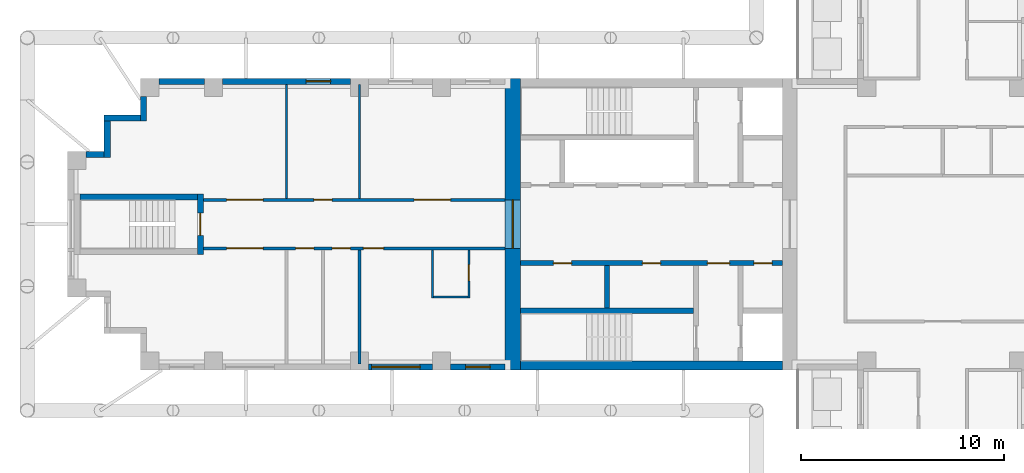
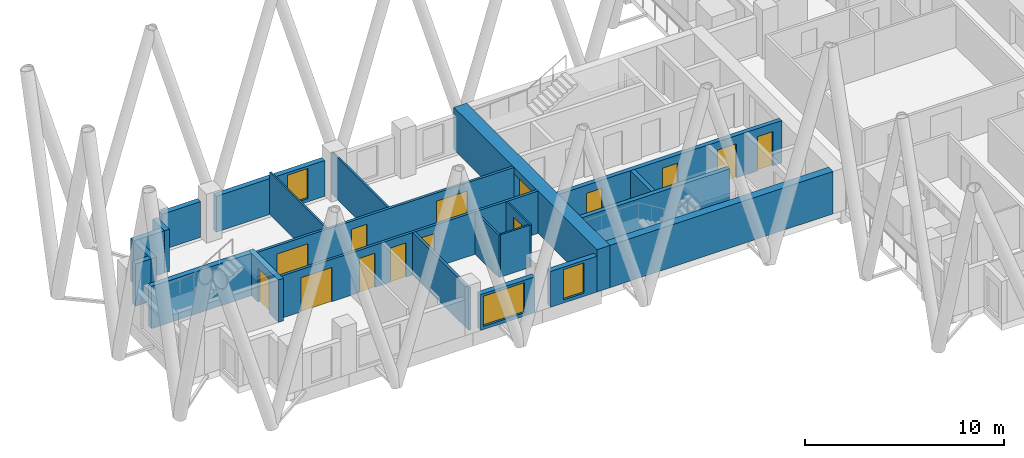
# One storey, part 3 of 12: 23 walls, 14 doors, 3 windows, 17 openings.
"""IFC4 building model written with IfcOpenShell, lengths in metres."""

from ifc_helpers import new_model, si_unit, direction, frame, frame_2d, origin, place, context, subcontext, project, spatial, rectangle, extrude, material, layer, layer_set, type_object, element, fill, save


model = new_model("IFC4")

# Units and contexts
model_context = context("Model", 3, precision=1e-05, world=origin(), true_north=direction((0.0, 1.0)))
body_context = subcontext(model_context, "Body", "Model", "MODEL_VIEW")
ifc_project = project(units=[si_unit("LENGTHUNIT", "METRE"), si_unit("AREAUNIT", "SQUARE_METRE"), si_unit("VOLUMEUNIT", "CUBIC_METRE"), si_unit("PLANEANGLEUNIT", "RADIAN"), si_unit("MASSUNIT", "GRAM", prefix="KILO")], contexts=[model_context])

# Site, building, storey
site_placement = place(None, origin())
site = spatial("IfcSite", under=ifc_project, at=site_placement, CompositionType="ELEMENT")
building_placement = place(site_placement, origin())
building = spatial("IfcBuilding", under=site, at=building_placement, Name="Fustian Cross Tower", CompositionType="ELEMENT")
storey_placement = place(building_placement, frame((0.0, 0.0, 141.300048828125)))
storey = spatial("IfcBuildingStorey", under=building, at=storey_placement, Name="L44", CompositionType="ELEMENT", Elevation=141.300048828125)

# Wall, openings, doors
ifc_material_1 = material(Name="Plasterboard on steel stud", Category="steel")
ifc_layer_1 = layer(ifc_material_1, 0.14990234375)
ifc_layer_set_1 = layer_set([ifc_layer_1], Name="Plasterboard on steel stud")
wall_type_1 = type_object("IfcWallType", Name="COMPARTMENT WALL 150 EI 60", PredefinedType="PARTITIONING", material=ifc_layer_set_1)
wall_1_placement = place(storey_placement, frame((-36.5, -1.199951171875, 0.0), z_axis=(0.0, 0.0, 1.0), x_axis=(1.0, 0.0, 0.0)))
wall_1 = element("IfcWall", 1, at=wall_1_placement, inside=storey, type_object=wall_type_1, Name="Partition 1", PredefinedType="PARTITIONING", context=body_context, shape_type="SweptSolid", body=[
    extrude(rectangle(XDim=14.89990234375, YDim=0.14990234375, at=frame_2d((7.449951171875, 0.0))), origin(), (0.0, 0.0, 1.0), 2.599853515625),
])
opening_1_placement = place(wall_1_placement, frame((7.89990234375, 0.0, 0.0)))
opening_1 = element("IfcOpeningElement", 2, at=opening_1_placement, cuts=wall_1, Name="Opening D20021", PredefinedType="OPENING", context=body_context, shape_type="SweptSolid", body=[
    extrude(rectangle(XDim=1.0, YDim=2.10009765625, at=frame_2d((0.5, 1.050048828125))), frame((0.0, 0.0849609375, 0.0), z_axis=(0.0, -1.0, 0.0), x_axis=(1.0, 0.0, 0.0)), (0.0, 0.0, 1.0), 0.169921875),
])
opening_2_placement = place(wall_1_placement, frame((6.35009765625, 0.0, 0.0)))
opening_2 = element("IfcOpeningElement", 3, at=opening_2_placement, cuts=wall_1, Name="Opening D20022", PredefinedType="OPENING", context=body_context, shape_type="SweptSolid", body=[
    extrude(rectangle(XDim=0.89990234375, YDim=2.10009765625, at=frame_2d((0.449951171875, 1.050048828125))), frame((0.0, 0.0849609375, 0.0), z_axis=(0.0, -1.0, 0.0), x_axis=(1.0, 0.0, 0.0)), (0.0, 0.0, 1.0), 0.169921875),
])
opening_3_placement = place(wall_1_placement, frame((4.550048828125, 0.0, 0.0)))
opening_3 = element("IfcOpeningElement", 4, at=opening_3_placement, cuts=wall_1, Name="Opening D20023", PredefinedType="OPENING", context=body_context, shape_type="SweptSolid", body=[
    extrude(rectangle(XDim=0.89990234375, YDim=2.10009765625, at=frame_2d((0.449951171875, 1.050048828125))), frame((0.0, 0.0849609375, 0.0), z_axis=(0.0, -1.0, 0.0), x_axis=(1.0, 0.0, 0.0)), (0.0, 0.0, 1.0), 0.169921875),
])
opening_4_placement = place(wall_1_placement, frame((1.14990234375, 0.0, 0.0)))
opening_4 = element("IfcOpeningElement", 5, at=opening_4_placement, cuts=wall_1, Name="Opening D20024", PredefinedType="OPENING", context=body_context, shape_type="SweptSolid", body=[
    extrude(rectangle(XDim=1.800048828125, YDim=2.10009765625, at=frame_2d((0.89990234375, 1.050048828125))), frame((0.0, 0.0849609375, 0.0), z_axis=(0.0, -1.0, 0.0), x_axis=(1.0, 0.0, 0.0)), (0.0, 0.0, 1.0), 0.169921875),
])
ifc_material_2 = material(Name="Timber fire door set", Category="wood")
door_type_1 = type_object("IfcDoorType", Name="FIRE DOUBLE DOOR 1800 FD30S", OperationType="DOUBLE_DOOR_DOUBLE_SWING", PredefinedType="DOOR", material=ifc_material_2)
door_1_placement = place(opening_4_placement, origin())
door_1 = element("IfcDoor", 6, at=door_1_placement, inside=storey, type_object=door_type_1, Name="Door D20024", OperationType="DOUBLE_DOOR_DOUBLE_SWING", OverallHeight=2.10009765625, OverallWidth=1.800048828125, PredefinedType="DOOR", context=body_context, shape_type="SweptSolid", body=[
    extrude(rectangle(XDim=1.800048828125, YDim=2.10009765625, at=frame_2d((0.89990234375, 1.050048828125))), frame((0.0, 0.02490234375, 0.0), z_axis=(0.0, -1.0, 0.0), x_axis=(1.0, 0.0, 0.0)), (0.0, 0.0, 1.0), 0.050048828125),
])
fill(opening_4, door_1)
ifc_material_3 = material(Name="Timber fire door set", Category="wood")
door_type_2 = type_object("IfcDoorType", Name="FIRE SWING DOOR 1000 FD30S", OperationType="SINGLE_SWING_LEFT", PredefinedType="DOOR", material=ifc_material_3)
door_2_placement = place(opening_1_placement, frame((1.0, 0.0, 0.0), z_axis=(0.0, 0.0, 1.0), x_axis=(-1.0, 0.0, 0.0)))
door_2 = element("IfcDoor", 7, at=door_2_placement, inside=storey, type_object=door_type_2, Name="Door D20021", OperationType="SINGLE_SWING_RIGHT", OverallHeight=2.10009765625, OverallWidth=1.0, PredefinedType="DOOR", context=body_context, shape_type="SweptSolid", body=[
    extrude(rectangle(XDim=1.0, YDim=2.10009765625, at=frame_2d((0.5, 1.050048828125))), frame((0.0, 0.02490234375, 0.0), z_axis=(0.0, -1.0, 0.0), x_axis=(1.0, 0.0, 0.0)), (0.0, 0.0, 1.0), 0.050048828125),
])
fill(opening_1, door_2)
ifc_material_4 = material(Name="Timber fire door set", Category="wood")
door_type_3 = type_object("IfcDoorType", Name="FIRE SWING DOOR 900 FD30S", OperationType="SINGLE_SWING_LEFT", PredefinedType="DOOR", material=ifc_material_4)
door_3_placement = place(opening_2_placement, origin())
door_3 = element("IfcDoor", 8, at=door_3_placement, inside=storey, type_object=door_type_3, Name="Door D20022", OperationType="SINGLE_SWING_LEFT", OverallHeight=2.10009765625, OverallWidth=0.89990234375, PredefinedType="DOOR", context=body_context, shape_type="SweptSolid", body=[
    extrude(rectangle(XDim=0.89990234375, YDim=2.10009765625, at=frame_2d((0.449951171875, 1.050048828125))), frame((0.0, 0.02490234375, 0.0), z_axis=(0.0, -1.0, 0.0), x_axis=(1.0, 0.0, 0.0)), (0.0, 0.0, 1.0), 0.050048828125),
])
fill(opening_2, door_3)
door_4_placement = place(opening_3_placement, frame((0.89990234375, 0.0, 0.0), z_axis=(0.0, 0.0, 1.0), x_axis=(-1.0, 0.0, 0.0)))
door_4 = element("IfcDoor", 9, at=door_4_placement, inside=storey, type_object=door_type_3, Name="Door D20023", OperationType="SINGLE_SWING_LEFT", OverallHeight=2.10009765625, OverallWidth=0.89990234375, PredefinedType="DOOR", context=body_context, shape_type="SweptSolid", body=[
    extrude(rectangle(XDim=0.89990234375, YDim=2.10009765625, at=frame_2d((0.449951171875, 1.050048828125))), frame((0.0, 0.02490234375, 0.0), z_axis=(0.0, -1.0, 0.0), x_axis=(1.0, 0.0, 0.0)), (0.0, 0.0, 1.0), 0.050048828125),
])
fill(opening_3, door_4)

wall_2_placement = place(storey_placement, frame((-36.5, 1.199951171875, 0.0), z_axis=(0.0, 0.0, 1.0), x_axis=(1.0, 0.0, 0.0)))
wall_2 = element("IfcWall", 10, at=wall_2_placement, inside=storey, type_object=wall_type_1, Name="Partition 2", PredefinedType="PARTITIONING", context=body_context, shape_type="SweptSolid", body=[
    extrude(rectangle(XDim=14.89990234375, YDim=0.14990234375, at=frame_2d((7.449951171875, 0.0))), origin(), (0.0, 0.0, 1.0), 2.599853515625),
])
opening_5_placement = place(wall_2_placement, frame((10.39990234375, 0.0, 0.0)))
opening_5 = element("IfcOpeningElement", 11, at=opening_5_placement, cuts=wall_2, Name="Opening D20025", PredefinedType="OPENING", context=body_context, shape_type="SweptSolid", body=[
    extrude(rectangle(XDim=1.800048828125, YDim=2.10009765625, at=frame_2d((0.89990234375, 1.050048828125))), frame((0.0, 0.0849609375, 0.0), z_axis=(0.0, -1.0, 0.0), x_axis=(1.0, 0.0, 0.0)), (0.0, 0.0, 1.0), 0.169921875),
])
opening_6_placement = place(wall_2_placement, frame((5.449951171875, 0.0, 0.0)))
opening_6 = element("IfcOpeningElement", 12, at=opening_6_placement, cuts=wall_2, Name="Opening D20026", PredefinedType="OPENING", context=body_context, shape_type="SweptSolid", body=[
    extrude(rectangle(XDim=0.89990234375, YDim=2.10009765625, at=frame_2d((0.449951171875, 1.050048828125))), frame((0.0, 0.0849609375, 0.0), z_axis=(0.0, -1.0, 0.0), x_axis=(1.0, 0.0, 0.0)), (0.0, 0.0, 1.0), 0.169921875),
])
opening_7_placement = place(wall_2_placement, frame((1.14990234375, 0.0, 0.0)))
opening_7 = element("IfcOpeningElement", 13, at=opening_7_placement, cuts=wall_2, Name="Opening D20027", PredefinedType="OPENING", context=body_context, shape_type="SweptSolid", body=[
    extrude(rectangle(XDim=1.800048828125, YDim=2.10009765625, at=frame_2d((0.89990234375, 1.050048828125))), frame((0.0, 0.0849609375, 0.0), z_axis=(0.0, -1.0, 0.0), x_axis=(1.0, 0.0, 0.0)), (0.0, 0.0, 1.0), 0.169921875),
])
door_5_placement = place(opening_5_placement, frame((1.800048828125, 0.0, 0.0), z_axis=(0.0, 0.0, 1.0), x_axis=(-1.0, 0.0, 0.0)))
door_5 = element("IfcDoor", 14, at=door_5_placement, inside=storey, type_object=door_type_1, Name="Door D20025", OperationType="DOUBLE_DOOR_DOUBLE_SWING", OverallHeight=2.10009765625, OverallWidth=1.800048828125, PredefinedType="DOOR", context=body_context, shape_type="SweptSolid", body=[
    extrude(rectangle(XDim=1.800048828125, YDim=2.10009765625, at=frame_2d((0.89990234375, 1.050048828125))), frame((0.0, 0.02490234375, 0.0), z_axis=(0.0, -1.0, 0.0), x_axis=(1.0, 0.0, 0.0)), (0.0, 0.0, 1.0), 0.050048828125),
])
fill(opening_5, door_5)
door_6_placement = place(opening_7_placement, frame((1.800048828125, 0.0, 0.0), z_axis=(0.0, 0.0, 1.0), x_axis=(-1.0, 0.0, 0.0)))
door_6 = element("IfcDoor", 15, at=door_6_placement, inside=storey, type_object=door_type_1, Name="Door D20027", OperationType="DOUBLE_DOOR_DOUBLE_SWING", OverallHeight=2.10009765625, OverallWidth=1.800048828125, PredefinedType="DOOR", context=body_context, shape_type="SweptSolid", body=[
    extrude(rectangle(XDim=1.800048828125, YDim=2.10009765625, at=frame_2d((0.89990234375, 1.050048828125))), frame((0.0, 0.02490234375, 0.0), z_axis=(0.0, -1.0, 0.0), x_axis=(1.0, 0.0, 0.0)), (0.0, 0.0, 1.0), 0.050048828125),
])
fill(opening_7, door_6)
door_7_placement = place(opening_6_placement, origin())
door_7 = element("IfcDoor", 16, at=door_7_placement, inside=storey, type_object=door_type_3, Name="Door D20026", OperationType="SINGLE_SWING_LEFT", OverallHeight=2.10009765625, OverallWidth=0.89990234375, PredefinedType="DOOR", context=body_context, shape_type="SweptSolid", body=[
    extrude(rectangle(XDim=0.89990234375, YDim=2.10009765625, at=frame_2d((0.449951171875, 1.050048828125))), frame((0.0, 0.02490234375, 0.0), z_axis=(0.0, -1.0, 0.0), x_axis=(1.0, 0.0, 0.0)), (0.0, 0.0, 1.0), 0.050048828125),
])
fill(opening_6, door_7)

# Wall
wall_3_placement = place(storey_placement, frame((-28.800048828125, -6.89990234375, 0.0), z_axis=(0.0, 0.0, 1.0), x_axis=(0.0, 1.0, 0.0)))
element("IfcWall", 17, at=wall_3_placement, inside=storey, type_object=wall_type_1, Name="Partition 6", PredefinedType="PARTITIONING", context=body_context, shape_type="SweptSolid", body=[
    extrude(rectangle(XDim=5.625, YDim=0.14990234375, at=frame_2d((2.8125, 0.0))), origin(), (0.0, 0.0, 1.0), 2.599853515625),
])

# Wall, opening, door
ifc_material_5 = material(Name="Concrete C60/75", Category="concrete")
ifc_layer_2 = layer(ifc_material_5, 0.75)
ifc_layer_set_2 = layer_set([ifc_layer_2], Name="Concrete C60/75")
wall_type_2 = type_object("IfcWallType", Name="CORE END WALL 750 C60/75", PredefinedType="SHEAR", material=ifc_layer_set_2)
wall_4_placement = place(storey_placement, frame((-21.22509765625, -7.199951171875, 0.0), z_axis=(0.0, 0.0, 1.0), x_axis=(0.0, 1.0, 0.0)))
wall_4 = element("IfcWall", 18, at=wall_4_placement, inside=storey, type_object=wall_type_2, Name="Core end wall", PredefinedType="SHEAR", context=body_context, shape_type="SweptSolid", body=[
    extrude(rectangle(XDim=14.39990234375, YDim=0.75, at=frame_2d((7.199951171875, 0.0))), origin(), (0.0, 0.0, 1.0), 2.599853515625),
])
opening_8_placement = place(wall_4_placement, frame((6.0, 0.0, 0.0)))
opening_8 = element("IfcOpeningElement", 19, at=opening_8_placement, cuts=wall_4, Name="Opening CD-18-29", PredefinedType="OPENING", context=body_context, shape_type="SweptSolid", body=[
    extrude(rectangle(XDim=2.39990234375, YDim=2.199951171875, at=frame_2d((1.199951171875, 1.10009765625))), frame((0.0, 0.385009765625, 0.0), z_axis=(0.0, -1.0, 0.0), x_axis=(1.0, 0.0, 0.0)), (0.0, 0.0, 1.0), 0.77001953125),
])
ifc_material_6 = material(Name="Steel", Category="steel")
door_type_4 = type_object("IfcDoorType", Name="FIRE DOOR FD30S DOUBLE 2400X2200", OperationType="DOUBLE_DOOR_DOUBLE_SWING", PredefinedType="DOOR", material=ifc_material_6)
door_8_placement = place(opening_8_placement, frame((2.39990234375, 0.0, 0.0), z_axis=(0.0, 0.0, 1.0), x_axis=(-1.0, 0.0, 0.0)))
door_8 = element("IfcDoor", 20, at=door_8_placement, inside=storey, type_object=door_type_4, Name="Core door CD-18-29", OperationType="DOUBLE_DOOR_DOUBLE_SWING", OverallHeight=2.199951171875, OverallWidth=2.39990234375, PredefinedType="DOOR", context=body_context, shape_type="SweptSolid", body=[
    extrude(rectangle(XDim=2.39990234375, YDim=2.199951171875, at=frame_2d((1.199951171875, 1.10009765625))), frame((0.0, 0.02490234375, 0.0), z_axis=(0.0, -1.0, 0.0), x_axis=(1.0, 0.0, 0.0)), (0.0, 0.0, 1.0), 0.050048828125),
])
fill(opening_8, door_8)

# Wall
ifc_material_7 = material(Name="Concrete C60/75", Category="concrete")
ifc_layer_3 = layer(ifc_material_7, 0.449951171875)
ifc_layer_set_3 = layer_set([ifc_layer_3], Name="Concrete C60/75")
wall_type_3 = type_object("IfcWallType", Name="CORE FACADE WALL 450 C60/75", PredefinedType="SHEAR", material=ifc_layer_set_3)
wall_5_placement = place(storey_placement, frame((-7.89990234375, -6.97509765625, 0.0), z_axis=(0.0, 0.0, 1.0), x_axis=(-1.0, 0.0, 0.0)))
element("IfcWall", 21, at=wall_5_placement, inside=storey, type_object=wall_type_3, Name="Core facade wall", PredefinedType="SHEAR", context=body_context, shape_type="SweptSolid", body=[
    extrude(rectangle(XDim=12.9501953125, YDim=0.449951171875, at=frame_2d((6.47509765625, 0.0))), origin(), (0.0, 0.0, 1.0), 2.599853515625),
])

# Wall, openings, doors
ifc_material_8 = material(Name="Concrete C50/60", Category="concrete")
ifc_layer_4 = layer(ifc_material_8, 0.25)
ifc_layer_set_4 = layer_set([ifc_layer_4], Name="Concrete C50/60")
wall_type_4 = type_object("IfcWallType", Name="CORE LOBBY WALL 250 C50/60", PredefinedType="SHEAR", material=ifc_layer_set_4)
wall_6_placement = place(storey_placement, frame((-7.89990234375, -1.925048828125, 0.0), z_axis=(0.0, 0.0, 1.0), x_axis=(-1.0, 0.0, 0.0)))
wall_6 = element("IfcWall", 22, at=wall_6_placement, inside=storey, type_object=wall_type_4, Name="Core lobby wall", PredefinedType="SHEAR", context=body_context, shape_type="SweptSolid", body=[
    extrude(rectangle(XDim=12.9501953125, YDim=0.25, at=frame_2d((6.47509765625, 0.0))), origin(), (0.0, 0.0, 1.0), 2.599853515625),
])
opening_9_placement = place(wall_6_placement, frame((0.52490234375, 0.0, 0.0)))
opening_9 = element("IfcOpeningElement", 23, at=opening_9_placement, cuts=wall_6, Name="Opening CD-18-25", PredefinedType="OPENING", context=body_context, shape_type="SweptSolid", body=[
    extrude(rectangle(XDim=0.89990234375, YDim=2.10009765625, at=frame_2d((0.449951171875, 1.050048828125))), frame((0.0, 0.135009765625, 0.0), z_axis=(0.0, -1.0, 0.0), x_axis=(1.0, 0.0, 0.0)), (0.0, 0.0, 1.0), 0.27001953125),
])
opening_10_placement = place(wall_6_placement, frame((2.625, 0.0, 0.0)))
opening_10 = element("IfcOpeningElement", 24, at=opening_10_placement, cuts=wall_6, Name="Opening CD-18-27", PredefinedType="OPENING", context=body_context, shape_type="SweptSolid", body=[
    extrude(rectangle(XDim=1.10009765625, YDim=2.10009765625, at=frame_2d((0.550048828125, 1.050048828125))), frame((0.0, 0.135009765625, 0.0), z_axis=(0.0, -1.0, 0.0), x_axis=(1.0, 0.0, 0.0)), (0.0, 0.0, 1.0), 0.27001953125),
])
opening_11_placement = place(wall_6_placement, frame((6.02490234375, 0.0, 0.0)))
opening_11 = element("IfcOpeningElement", 25, at=opening_11_placement, cuts=wall_6, Name="Opening CD-18-31", PredefinedType="OPENING", context=body_context, shape_type="SweptSolid", body=[
    extrude(rectangle(XDim=0.89990234375, YDim=2.10009765625, at=frame_2d((0.449951171875, 1.050048828125))), frame((0.0, 0.135009765625, 0.0), z_axis=(0.0, -1.0, 0.0), x_axis=(1.0, 0.0, 0.0)), (0.0, 0.0, 1.0), 0.27001953125),
])
opening_12_placement = place(wall_6_placement, frame((10.425048828125, 0.0, 0.0)))
opening_12 = element("IfcOpeningElement", 26, at=opening_12_placement, cuts=wall_6, Name="Opening CD-18-32", PredefinedType="OPENING", context=body_context, shape_type="SweptSolid", body=[
    extrude(rectangle(XDim=0.89990234375, YDim=2.10009765625, at=frame_2d((0.449951171875, 1.050048828125))), frame((0.0, 0.135009765625, 0.0), z_axis=(0.0, -1.0, 0.0), x_axis=(1.0, 0.0, 0.0)), (0.0, 0.0, 1.0), 0.27001953125),
])
ifc_material_9 = material(Name="Steel", Category="steel")
door_type_5 = type_object("IfcDoorType", Name="FIRE DOOR FD30S 1100X2100", OperationType="SINGLE_SWING_LEFT", PredefinedType="DOOR", material=ifc_material_9)
door_9_placement = place(opening_10_placement, frame((1.10009765625, 0.0, 0.0), z_axis=(0.0, 0.0, 1.0), x_axis=(-1.0, 0.0, 0.0)))
door_9 = element("IfcDoor", 27, at=door_9_placement, inside=storey, type_object=door_type_5, Name="Core door CD-18-27", OperationType="SINGLE_SWING_RIGHT", OverallHeight=2.10009765625, OverallWidth=1.10009765625, PredefinedType="DOOR", context=body_context, shape_type="SweptSolid", body=[
    extrude(rectangle(XDim=1.10009765625, YDim=2.10009765625, at=frame_2d((0.550048828125, 1.050048828125))), frame((0.0, 0.02490234375, 0.0), z_axis=(0.0, -1.0, 0.0), x_axis=(1.0, 0.0, 0.0)), (0.0, 0.0, 1.0), 0.050048828125),
])
fill(opening_10, door_9)
ifc_material_10 = material(Name="Steel", Category="steel")
door_type_6 = type_object("IfcDoorType", Name="FIRE DOOR FD30S 900X2100", OperationType="SINGLE_SWING_LEFT", PredefinedType="DOOR", material=ifc_material_10)
door_10_placement = place(opening_9_placement, origin())
door_10 = element("IfcDoor", 28, at=door_10_placement, inside=storey, type_object=door_type_6, Name="Core door CD-18-25", OperationType="SINGLE_SWING_LEFT", OverallHeight=2.10009765625, OverallWidth=0.89990234375, PredefinedType="DOOR", context=body_context, shape_type="SweptSolid", body=[
    extrude(rectangle(XDim=0.89990234375, YDim=2.10009765625, at=frame_2d((0.449951171875, 1.050048828125))), frame((0.0, 0.02490234375, 0.0), z_axis=(0.0, -1.0, 0.0), x_axis=(1.0, 0.0, 0.0)), (0.0, 0.0, 1.0), 0.050048828125),
])
fill(opening_9, door_10)
door_11_placement = place(opening_11_placement, origin())
door_11 = element("IfcDoor", 29, at=door_11_placement, inside=storey, type_object=door_type_6, Name="Core door CD-18-31", OperationType="SINGLE_SWING_RIGHT", OverallHeight=2.10009765625, OverallWidth=0.89990234375, PredefinedType="DOOR", context=body_context, shape_type="SweptSolid", body=[
    extrude(rectangle(XDim=0.89990234375, YDim=2.10009765625, at=frame_2d((0.449951171875, 1.050048828125))), frame((0.0, 0.02490234375, 0.0), z_axis=(0.0, -1.0, 0.0), x_axis=(1.0, 0.0, 0.0)), (0.0, 0.0, 1.0), 0.050048828125),
])
fill(opening_11, door_11)
door_12_placement = place(opening_12_placement, origin())
door_12 = element("IfcDoor", 30, at=door_12_placement, inside=storey, type_object=door_type_6, Name="Core door CD-18-32", OperationType="SINGLE_SWING_RIGHT", OverallHeight=2.10009765625, OverallWidth=0.89990234375, PredefinedType="DOOR", context=body_context, shape_type="SweptSolid", body=[
    extrude(rectangle(XDim=0.89990234375, YDim=2.10009765625, at=frame_2d((0.449951171875, 1.050048828125))), frame((0.0, 0.02490234375, 0.0), z_axis=(0.0, -1.0, 0.0), x_axis=(1.0, 0.0, 0.0)), (0.0, 0.0, 1.0), 0.050048828125),
])
fill(opening_12, door_12)

# Walls
ifc_material_11 = material(Name="Concrete C50/60", Category="concrete")
ifc_layer_5 = layer(ifc_material_11, 0.25)
ifc_layer_set_5 = layer_set([ifc_layer_5], Name="Concrete C50/60")
wall_type_5 = type_object("IfcWallType", Name="CORE SHAFT WALL 250 C50/60", PredefinedType="SHEAR", material=ifc_layer_set_5)
wall_7_placement = place(storey_placement, frame((-12.300048828125, -4.27490234375, 0.0), z_axis=(0.0, 0.0, 1.0), x_axis=(-1.0, 0.0, 0.0)))
element("IfcWall", 31, at=wall_7_placement, inside=storey, type_object=wall_type_5, Name="Core shaft wall", PredefinedType="SHEAR", context=body_context, shape_type="SweptSolid", body=[
    extrude(rectangle(XDim=8.550048828125, YDim=0.25, at=frame_2d((4.27490234375, 0.0))), origin(), (0.0, 0.0, 1.0), 2.599853515625),
])
ifc_material_12 = material(Name="Plasterboard on steel stud", Category="steel")
ifc_layer_6 = layer(ifc_material_12, 0.10009765625)
ifc_layer_set_6 = layer_set([ifc_layer_6], Name="Plasterboard on steel stud")
wall_type_6 = type_object("IfcWallType", Name="PARTITION 100 STUD", PredefinedType="PARTITIONING", material=ifc_layer_set_6)
for number, where, z_axis, x_axis, name in (
    (32, (-32.39990234375, 1.27490234375, 0.0), (0.0, 0.0, 1.0), (0.0, 1.0, 0.0), "Partition 4"),
    (33, (-28.800048828125, 1.27490234375, 0.0), (0.0, 0.0, 1.0), (0.0, 1.0, 0.0), "Partition 7"),
):
    element("IfcWall", number, at=place(storey_placement, frame(where, z_axis=z_axis, x_axis=x_axis)), inside=storey, type_object=wall_type_6, Name=name, PredefinedType="PARTITIONING", context=body_context, shape_type="SweptSolid", body=[
        extrude(rectangle(XDim=5.625, YDim=0.10009765625, at=frame_2d((2.8125, 0.0))), origin(), (0.0, 0.0, 1.0), 2.599853515625),
    ])
wall_8_placement = place(storey_placement, frame((-25.199951171875, -3.64990234375, 0.0), z_axis=(0.0, 0.0, 1.0), x_axis=(0.0, 1.0, 0.0)))
element("IfcWall", 34, at=wall_8_placement, inside=storey, type_object=wall_type_6, Name="Partition 8", PredefinedType="PARTITIONING", context=body_context, shape_type="SweptSolid", body=[
    extrude(rectangle(XDim=2.375, YDim=0.10009765625, at=frame_2d((1.1875, 0.0))), origin(), (0.0, 0.0, 1.0), 2.599853515625),
])
wall_9_placement = place(storey_placement, frame((-25.14990234375, -3.60009765625, 0.0), z_axis=(0.0, 0.0, 1.0), x_axis=(1.0, 0.0, 0.0)))
element("IfcWall", 35, at=wall_9_placement, inside=storey, type_object=wall_type_6, Name="Partition 9", PredefinedType="PARTITIONING", context=body_context, shape_type="SweptSolid", body=[
    extrude(rectangle(XDim=1.699951171875, YDim=0.10009765625, at=frame_2d((0.85009765625, 0.0))), origin(), (0.0, 0.0, 1.0), 2.599853515625),
])

# Wall, opening, door
wall_10_placement = place(storey_placement, frame((-23.39990234375, -3.64990234375, 0.0), z_axis=(0.0, 0.0, 1.0), x_axis=(0.0, 1.0, 0.0)))
wall_10 = element("IfcWall", 36, at=wall_10_placement, inside=storey, type_object=wall_type_6, Name="Partition 10", PredefinedType="PARTITIONING", context=body_context, shape_type="SweptSolid", body=[
    extrude(rectangle(XDim=2.375, YDim=0.10009765625, at=frame_2d((1.1875, 0.0))), origin(), (0.0, 0.0, 1.0), 2.599853515625),
])
opening_13_placement = place(wall_10_placement, frame((0.85009765625, 0.0, 0.0)))
opening_13 = element("IfcOpeningElement", 37, at=opening_13_placement, cuts=wall_10, Name="Opening D20020", PredefinedType="OPENING", context=body_context, shape_type="SweptSolid", body=[
    extrude(rectangle(XDim=0.800048828125, YDim=2.10009765625, at=frame_2d((0.39990234375, 1.050048828125))), frame((0.0, 0.06005859375, 0.0), z_axis=(0.0, -1.0, 0.0), x_axis=(1.0, 0.0, 0.0)), (0.0, 0.0, 1.0), 0.1201171875),
])
ifc_material_13 = material(Name="Painted timber", Category="wood")
door_type_7 = type_object("IfcDoorType", Name="SWING DOOR 800", OperationType="SINGLE_SWING_LEFT", PredefinedType="DOOR", material=ifc_material_13)
door_13_placement = place(opening_13_placement, origin())
door_13 = element("IfcDoor", 38, at=door_13_placement, inside=storey, type_object=door_type_7, Name="Door D20020", OperationType="SINGLE_SWING_LEFT", OverallHeight=2.10009765625, OverallWidth=0.800048828125, PredefinedType="DOOR", context=body_context, shape_type="SweptSolid", body=[
    extrude(rectangle(XDim=0.800048828125, YDim=2.10009765625, at=frame_2d((0.39990234375, 1.050048828125))), frame((0.0, 0.02490234375, 0.0), z_axis=(0.0, -1.0, 0.0), x_axis=(1.0, 0.0, 0.0)), (0.0, 0.0, 1.0), 0.050048828125),
])
fill(opening_13, door_13)

# Wall
ifc_material_14 = material(Name="Concrete C40/50", Category="concrete")
ifc_layer_7 = layer(ifc_material_14, 0.25)
ifc_layer_set_7 = layer_set([ifc_layer_7], Name="Concrete C40/50")
wall_type_7 = type_object("IfcWallType", Name="SHAFT PARTITION WALL 250 C40/50", PredefinedType="PARTITIONING", material=ifc_layer_set_7)
wall_11_placement = place(storey_placement, frame((-16.574951171875, -2.050048828125, 0.0), z_axis=(0.0, 0.0, 1.0), x_axis=(0.0, -1.0, 0.0)))
element("IfcWall", 39, at=wall_11_placement, inside=storey, type_object=wall_type_7, Name="Core shaft wall", PredefinedType="PARTITIONING", context=body_context, shape_type="SweptSolid", body=[
    extrude(rectangle(XDim=2.099853515625, YDim=0.25, at=frame_2d((1.0498046875, 0.0))), origin(), (0.0, 0.0, 1.0), 2.599853515625),
])

# Wall, opening, door
ifc_material_15 = material(Name="Concrete C50/60", Category="concrete")
ifc_layer_8 = layer(ifc_material_15, 0.300048828125)
ifc_layer_set_8 = layer_set([ifc_layer_8], Name="Concrete C50/60")
wall_type_8 = type_object("IfcWallType", Name="STAIR ENCLOSURE WALL 300 C50/60", PredefinedType="SHEAR", material=ifc_layer_set_8)
wall_12_placement = place(storey_placement, frame((-36.64990234375, -1.5, 0.0), z_axis=(0.0, 0.0, 1.0), x_axis=(0.0, 1.0, 0.0)))
wall_12 = element("IfcWall", 40, at=wall_12_placement, inside=storey, type_object=wall_type_8, Name="Stair enclosure wall", PredefinedType="SHEAR", context=body_context, shape_type="SweptSolid", body=[
    extrude(rectangle(XDim=3.0, YDim=0.300048828125, at=frame_2d((1.5, 0.0))), origin(), (0.0, 0.0, 1.0), 2.599853515625),
])
opening_14_placement = place(wall_12_placement, frame((0.949951171875, 0.0, 0.0)))
opening_14 = element("IfcOpeningElement", 41, at=opening_14_placement, cuts=wall_12, Name="Opening CD-18-34", PredefinedType="OPENING", context=body_context, shape_type="SweptSolid", body=[
    extrude(rectangle(XDim=1.10009765625, YDim=2.10009765625, at=frame_2d((0.550048828125, 1.050048828125))), frame((0.0, 0.159912109375, 0.0), z_axis=(0.0, -1.0, 0.0), x_axis=(1.0, 0.0, 0.0)), (0.0, 0.0, 1.0), 0.320068359375),
])
ifc_material_16 = material(Name="Steel", Category="steel")
door_type_8 = type_object("IfcDoorType", Name="FIRE DOOR FD60S 1100X2100", OperationType="SINGLE_SWING_LEFT", PredefinedType="DOOR", material=ifc_material_16)
door_14_placement = place(opening_14_placement, origin())
door_14 = element("IfcDoor", 42, at=door_14_placement, inside=storey, type_object=door_type_8, Name="Core door CD-18-34", OperationType="SINGLE_SWING_LEFT", OverallHeight=2.10009765625, OverallWidth=1.10009765625, PredefinedType="DOOR", context=body_context, shape_type="SweptSolid", body=[
    extrude(rectangle(XDim=1.10009765625, YDim=2.10009765625, at=frame_2d((0.550048828125, 1.050048828125))), frame((0.0, 0.02490234375, 0.0), z_axis=(0.0, -1.0, 0.0), x_axis=(1.0, 0.0, 0.0)), (0.0, 0.0, 1.0), 0.050048828125),
])
fill(opening_14, door_14)

# Wall
wall_13_placement = place(storey_placement, frame((-36.800048828125, 1.35009765625, 0.0), z_axis=(0.0, 0.0, 1.0), x_axis=(-1.0, 0.0, 0.0)))
element("IfcWall", 43, at=wall_13_placement, inside=storey, type_object=wall_type_8, Name="Stair enclosure wall", PredefinedType="SHEAR", context=body_context, shape_type="SweptSolid", body=[
    extrude(rectangle(XDim=5.800048828125, YDim=0.300048828125, at=frame_2d((2.89990234375, 0.0))), origin(), (0.0, 0.0, 1.0), 2.599853515625),
])

# Wall, opening, window
ifc_material_17 = material(Name="Dark aluminium cladding on insulated backing wall", Category="aluminium")
ifc_layer_9 = layer(ifc_material_17, 0.300048828125)
ifc_layer_set_9 = layer_set([ifc_layer_9], Name="Dark aluminium cladding on insulated backing wall")
wall_type_9 = type_object("IfcWallType", Name="XW1 EXTERNAL WALL 300", PredefinedType="SOLIDWALL", material=ifc_layer_set_9)
wall_14_placement = place(storey_placement, frame((-29.25, 7.050048828125, 0.0), z_axis=(0.0, 0.0, 1.0), x_axis=(-1.0, 0.0, 0.0)))
wall_14 = element("IfcWall", 44, at=wall_14_placement, inside=storey, type_object=wall_type_9, Name="External wall", PredefinedType="SOLIDWALL", context=body_context, shape_type="SweptSolid", body=[
    extrude(rectangle(XDim=6.300048828125, YDim=0.300048828125, at=frame_2d((3.14990234375, 0.0))), origin(), (0.0, 0.0, 1.0), 2.199951171875),
])
opening_15_placement = place(wall_14_placement, frame((0.97509765625, 0.0, 0.199951171875)))
opening_15 = element("IfcOpeningElement", 45, at=opening_15_placement, cuts=wall_14, Name="Opening WN3", PredefinedType="OPENING", context=body_context, shape_type="SweptSolid", body=[
    extrude(rectangle(XDim=1.199951171875, YDim=1.85009765625, at=frame_2d((0.60009765625, 0.925048828125))), frame((0.0, 0.159912109375, 0.0), z_axis=(0.0, -1.0, 0.0), x_axis=(1.0, 0.0, 0.0)), (0.0, 0.0, 1.0), 0.320068359375),
])
ifc_material_18 = material(Name="Dark anodised aluminium and double glazing", Category="aluminium")
window_type_1 = type_object("IfcWindowType", Name="WN3 WINDOW 1200X1850", PartitioningType="SINGLE_PANEL", PredefinedType="WINDOW", material=ifc_material_18)
window_1_placement = place(opening_15_placement, origin())
window_1 = element("IfcWindow", 46, at=window_1_placement, inside=storey, type_object=window_type_1, Name="Window", OverallHeight=1.85009765625, OverallWidth=1.199951171875, PartitioningType="SINGLE_PANEL", PredefinedType="WINDOW", context=body_context, shape_type="SweptSolid", body=[
    extrude(rectangle(XDim=1.199951171875, YDim=1.85009765625, at=frame_2d((0.60009765625, 0.925048828125))), frame((0.0, 0.030029296875, 0.0), z_axis=(0.0, -1.0, 0.0), x_axis=(1.0, 0.0, 0.0)), (0.0, 0.0, 1.0), 0.06005859375),
])
fill(opening_15, window_1)

# Walls
wall_15_placement = place(storey_placement, frame((-36.449951171875, 7.050048828125, 0.0), z_axis=(0.0, 0.0, 1.0), x_axis=(-1.0, 0.0, 0.0)))
element("IfcWall", 47, at=wall_15_placement, inside=storey, type_object=wall_type_9, Name="External wall", PredefinedType="SOLIDWALL", context=body_context, shape_type="SweptSolid", body=[
    extrude(rectangle(XDim=2.25, YDim=0.300048828125, at=frame_2d((1.125, 0.0))), origin(), (0.0, 0.0, 1.0), 2.199951171875),
])
wall_16_placement = place(storey_placement, frame((-39.449951171875, 6.300048828125, 0.0), z_axis=(0.0, 0.0, 1.0), x_axis=(0.0, -1.0, 0.0)))
element("IfcWall", 48, at=wall_16_placement, inside=storey, type_object=wall_type_9, Name="External wall", PredefinedType="SOLIDWALL", context=body_context, shape_type="SweptSolid", body=[
    extrude(rectangle(XDim=1.199951171875, YDim=0.300048828125, at=frame_2d((0.60009765625, 0.0))), origin(), (0.0, 0.0, 1.0), 2.599853515625),
])
wall_17_placement = place(storey_placement, frame((-39.60009765625, 5.25, 0.0), z_axis=(0.0, 0.0, 1.0), x_axis=(-1.0, 0.0, 0.0)))
element("IfcWall", 49, at=wall_17_placement, inside=storey, type_object=wall_type_9, Name="External wall", PredefinedType="SOLIDWALL", context=body_context, shape_type="SweptSolid", body=[
    extrude(rectangle(XDim=1.7998046875, YDim=0.300048828125, at=frame_2d((0.89990234375, 0.0))), origin(), (0.0, 0.0, 1.0), 2.599853515625),
])
wall_18_placement = place(storey_placement, frame((-41.25, 5.10009765625, 0.0), z_axis=(0.0, 0.0, 1.0), x_axis=(0.0, -1.0, 0.0)))
element("IfcWall", 50, at=wall_18_placement, inside=storey, type_object=wall_type_9, Name="External wall", PredefinedType="SOLIDWALL", context=body_context, shape_type="SweptSolid", body=[
    extrude(rectangle(XDim=1.800048828125, YDim=0.300048828125, at=frame_2d((0.89990234375, 0.0))), origin(), (0.0, 0.0, 1.0), 2.599853515625),
])
wall_19_placement = place(storey_placement, frame((-41.39990234375, 3.449951171875, 0.0), z_axis=(0.0, 0.0, 1.0), x_axis=(-1.0, 0.0, 0.0)))
element("IfcWall", 51, at=wall_19_placement, inside=storey, type_object=wall_type_9, Name="External wall", PredefinedType="SOLIDWALL", context=body_context, shape_type="SweptSolid", body=[
    extrude(rectangle(XDim=0.900146484375, YDim=0.300048828125, at=frame_2d((0.4501953125, 0.0))), origin(), (0.0, 0.0, 1.0), 2.599853515625),
])

# Wall, opening, window
wall_20_placement = place(storey_placement, frame((-28.35009765625, -7.050048828125, 0.0), z_axis=(0.0, 0.0, 1.0), x_axis=(1.0, 0.0, 0.0)))
wall_20 = element("IfcWall", 52, at=wall_20_placement, inside=storey, type_object=wall_type_9, Name="External wall", PredefinedType="SOLIDWALL", context=body_context, shape_type="SweptSolid", body=[
    extrude(rectangle(XDim=3.150146484375, YDim=0.300048828125, at=frame_2d((1.5751953125, 0.0))), origin(), (0.0, 0.0, 1.0), 2.199951171875),
])
opening_16_placement = place(wall_20_placement, frame((0.14990234375, 0.0, 0.199951171875)))
opening_16 = element("IfcOpeningElement", 53, at=opening_16_placement, cuts=wall_20, Name="Opening WN1", PredefinedType="OPENING", context=body_context, shape_type="SweptSolid", body=[
    extrude(rectangle(XDim=2.39990234375, YDim=1.85009765625, at=frame_2d((1.199951171875, 0.925048828125))), frame((0.0, 0.159912109375, 0.0), z_axis=(0.0, -1.0, 0.0), x_axis=(1.0, 0.0, 0.0)), (0.0, 0.0, 1.0), 0.320068359375),
])
ifc_material_19 = material(Name="Dark anodised aluminium and double glazing", Category="aluminium")
window_type_2 = type_object("IfcWindowType", Name="WN1 WINDOW 2400X1850", PartitioningType="SINGLE_PANEL", PredefinedType="WINDOW", material=ifc_material_19)
window_2_placement = place(opening_16_placement, origin())
window_2 = element("IfcWindow", 54, at=window_2_placement, inside=storey, type_object=window_type_2, Name="Window", OverallHeight=1.85009765625, OverallWidth=2.39990234375, PartitioningType="SINGLE_PANEL", PredefinedType="WINDOW", context=body_context, shape_type="SweptSolid", body=[
    extrude(rectangle(XDim=2.39990234375, YDim=1.85009765625, at=frame_2d((1.199951171875, 0.925048828125))), frame((0.0, 0.030029296875, 0.0), z_axis=(0.0, -1.0, 0.0), x_axis=(1.0, 0.0, 0.0)), (0.0, 0.0, 1.0), 0.06005859375),
])
fill(opening_16, window_2)

wall_21_placement = place(storey_placement, frame((-24.300048828125, -7.050048828125, 0.0), z_axis=(0.0, 0.0, 1.0), x_axis=(1.0, 0.0, 0.0)))
wall_21 = element("IfcWall", 55, at=wall_21_placement, inside=storey, type_object=wall_type_9, Name="External wall", PredefinedType="SOLIDWALL", context=body_context, shape_type="SweptSolid", body=[
    extrude(rectangle(XDim=2.699951171875, YDim=0.300048828125, at=frame_2d((1.35009765625, 0.0))), origin(), (0.0, 0.0, 1.0), 2.199951171875),
])
opening_17_placement = place(wall_21_placement, frame((0.75, 0.0, 0.199951171875)))
opening_17 = element("IfcOpeningElement", 56, at=opening_17_placement, cuts=wall_21, Name="Opening WN3", PredefinedType="OPENING", context=body_context, shape_type="SweptSolid", body=[
    extrude(rectangle(XDim=1.199951171875, YDim=1.85009765625, at=frame_2d((0.60009765625, 0.925048828125))), frame((0.0, 0.159912109375, 0.0), z_axis=(0.0, -1.0, 0.0), x_axis=(1.0, 0.0, 0.0)), (0.0, 0.0, 1.0), 0.320068359375),
])
window_3_placement = place(opening_17_placement, origin())
window_3 = element("IfcWindow", 57, at=window_3_placement, inside=storey, type_object=window_type_1, Name="Window", OverallHeight=1.85009765625, OverallWidth=1.199951171875, PartitioningType="SINGLE_PANEL", PredefinedType="WINDOW", context=body_context, shape_type="SweptSolid", body=[
    extrude(rectangle(XDim=1.199951171875, YDim=1.85009765625, at=frame_2d((0.60009765625, 0.925048828125))), frame((0.0, 0.030029296875, 0.0), z_axis=(0.0, -1.0, 0.0), x_axis=(1.0, 0.0, 0.0)), (0.0, 0.0, 1.0), 0.06005859375),
])
fill(opening_17, window_3)

save(model, "model.ifc")
